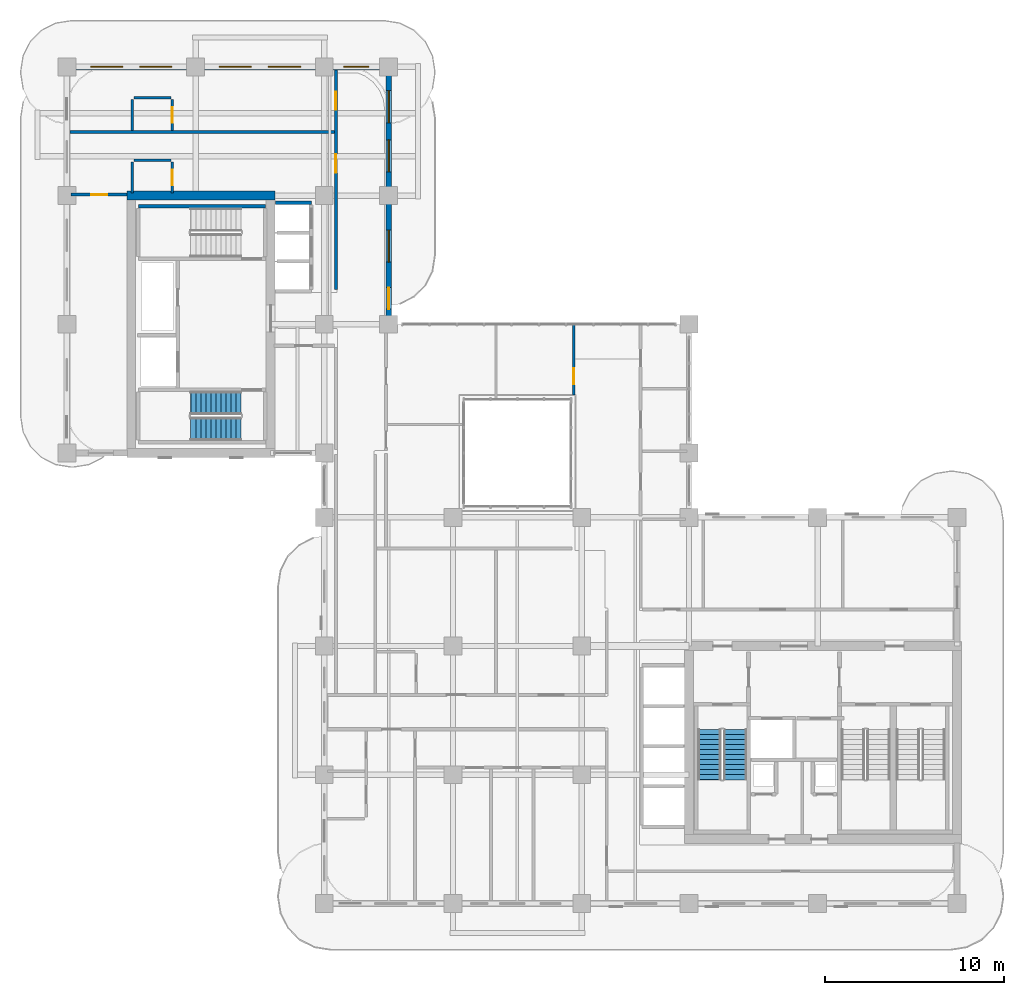
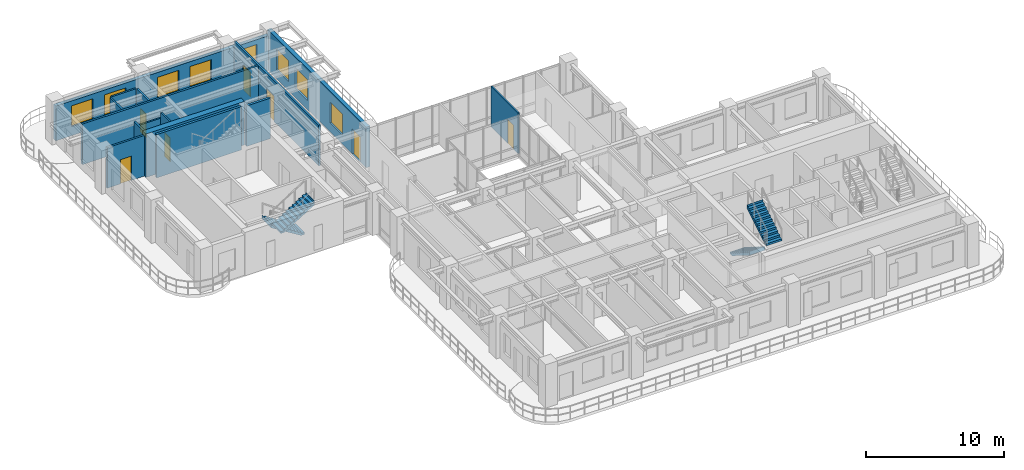
# One storey, part 15 of 20: 15 walls, 8 windows, 7 doors, 4 stair flights, 15 openings, 2 elements without a shape of their own.
"""IFC4 building model written with IfcOpenShell, lengths in metres."""

import ifcopenshell
import ifcopenshell.guid

model = None  # the IFC model being written
_history = None  # IfcOwnerHistory: only IFC2X3 demands one
_inside = {}  # id of a spatial element -> (the spatial element, [elements in it])
_under = {}  # id of a project, library or spatial element -> (it, [spatial elements below it])
_declared = {}  # id of a project -> (the project, [libraries it declares])
_typed = {}  # id of a type object -> (the type object, [elements of that type])
_made_of = {}  # id of a material, layer set ... -> (it, [elements and type objects made of it])


def new_model(schema):
    """Start an empty IFC model of exactly this schema.

    Asked for "IFC4X3", IfcOpenShell would pick the latest addendum, in which some entities
    have other attributes; the version numbers below select the first issue.
    IFC2X3 requires an IfcOwnerHistory on every rooted entity: one is made here for all.
    """
    global model, _history
    if schema == "IFC4X3":
        model = ifcopenshell.file(schema_version=(4, 3, 0, 0))
    else:
        model = ifcopenshell.file(schema=schema)
    _inside.clear()
    _under.clear()
    _declared.clear()
    _typed.clear()
    _made_of.clear()
    _history = None
    if model.schema == "IFC2X3":
        org = make("IfcOrganization", Name="unknown")
        user = make(
            "IfcPersonAndOrganization",
            ThePerson=make("IfcPerson", FamilyName="unknown"),
            TheOrganization=org,
        )
        app = make(
            "IfcApplication",
            ApplicationDeveloper=org,
            Version="unknown",
            ApplicationFullName="unknown",
            ApplicationIdentifier="unknown",
        )
        _history = make(
            "IfcOwnerHistory",
            OwningUser=user,
            OwningApplication=app,
            ChangeAction="ADDED",
            CreationDate=0,
        )
    return model


def make(cls, **values):
    """One entity of the class cls with the attributes given. An attribute that is None is left unset."""
    return model.create_entity(
        cls, **{name: value for name, value in values.items() if value is not None}
    )


def rooted(cls, **values):
    """An entity with a GlobalId (a new one), such as an element, a storey or a relation."""
    return make(cls, GlobalId=ifcopenshell.guid.new(), OwnerHistory=_history, **values)


def si_unit(unit_type, name, prefix=None):
    """IfcSIUnit, for example si_unit("LENGTHUNIT", "METRE", prefix="MILLI")."""
    return make("IfcSIUnit", UnitType=unit_type, Prefix=prefix, Name=name)


def derived_unit(unit_type, elements):
    """IfcDerivedUnit: a product of units, each with its exponent."""
    return make(
        "IfcDerivedUnit",
        Elements=[
            make("IfcDerivedUnitElement", Unit=unit, Exponent=power)
            for unit, power in elements
        ],
        UnitType=unit_type,
    )


def assignment(units):
    """IfcUnitAssignment: the units of a project."""
    return None if units is None else make("IfcUnitAssignment", Units=units)


def point(xyz):
    """IfcCartesianPoint."""
    return None if xyz is None else make("IfcCartesianPoint", Coordinates=xyz)


def direction(xyz):
    """IfcDirection."""
    return None if xyz is None else make("IfcDirection", DirectionRatios=xyz)


def frame(location, z_axis=None, x_axis=None):
    """IfcAxis2Placement3D, a coordinate frame: its origin and axes. An axis left out is left unset."""
    return make(
        "IfcAxis2Placement3D",
        Location=point(location),
        Axis=direction(z_axis),
        RefDirection=direction(x_axis),
    )


def frame_2d(location, x_axis=None):
    """IfcAxis2Placement2D, a coordinate frame in the plane: its origin and x axis."""
    return make(
        "IfcAxis2Placement2D", Location=point(location), RefDirection=direction(x_axis)
    )


def origin():
    """The frame at (0, 0, 0) with its axes left unset."""
    return frame((0.0, 0.0, 0.0))


def place(relative_to, where):
    """IfcLocalPlacement: puts the frame where relative to a parent placement (None: the world)."""
    return make(
        "IfcLocalPlacement", PlacementRelTo=relative_to, RelativePlacement=where
    )


def context(
    kind, dimensions, precision=None, world=None, true_north=None, identifier=None
):
    """IfcGeometricRepresentationContext, for example the 3D "Model" context."""
    return make(
        "IfcGeometricRepresentationContext",
        ContextIdentifier=identifier,
        ContextType=kind,
        CoordinateSpaceDimension=dimensions,
        Precision=precision,
        WorldCoordinateSystem=world,
        TrueNorth=true_north,
    )


def subcontext(parent, identifier, kind, view, scale=None):
    """IfcGeometricRepresentationSubContext, for example "Body" below "Model"."""
    return make(
        "IfcGeometricRepresentationSubContext",
        ContextIdentifier=identifier,
        ContextType=kind,
        ParentContext=parent,
        TargetScale=scale,
        TargetView=view,
    )


def project(units=None, contexts=None):
    """IfcProject with its units and contexts."""
    return rooted(
        "IfcProject",
        Name="project",
        RepresentationContexts=contexts,
        UnitsInContext=assignment(units),
    )


def spatial(cls, under=None, at=None, **own):
    """A site, building, storey or space (cls), placed at a placement, below another one or the project."""
    s = rooted(cls, ObjectPlacement=at, **own)
    if under is not None:
        _under.setdefault(under.id(), (under, []))[1].append(s)
    return s


def polyline(points):
    """IfcPolyline through the points."""
    return make("IfcPolyline", Points=[point(p) for p in points])


def profile(cls, at=None, kind="AREA", **sizes):
    """A parametric profile (cls). Its sizes go by their IFC names, for example OverallWidth=200.0."""
    return make(cls, ProfileType=kind, Position=at, **sizes)


def rectangle(**sizes):
    """IfcRectangleProfileDef."""
    return profile("IfcRectangleProfileDef", **sizes)


def outline(outer, holes=None, kind="AREA"):
    """IfcArbitraryClosedProfileDef: a profile drawn as a closed curve; with holes, ...WithVoids."""
    if holes is None:
        return make("IfcArbitraryClosedProfileDef", ProfileType=kind, OuterCurve=outer)
    return make(
        "IfcArbitraryProfileDefWithVoids",
        ProfileType=kind,
        OuterCurve=outer,
        InnerCurves=holes,
    )


def extrude(swept, where, along, depth):
    """IfcExtrudedAreaSolid: the profile swept, set in the frame where, extruded along a direction by depth."""
    return make(
        "IfcExtrudedAreaSolid",
        SweptArea=swept,
        Position=where,
        ExtrudedDirection=direction(along),
        Depth=depth,
    )


def shape(context_of_items, identifier, shape_type, items):
    """IfcShapeRepresentation: the items that make up one representation, for example the "Body"."""
    return make(
        "IfcShapeRepresentation",
        ContextOfItems=context_of_items,
        RepresentationIdentifier=identifier,
        RepresentationType=shape_type,
        Items=items,
    )


def source(mapping_origin, context_of_items, identifier, shape_type, items):
    """IfcRepresentationMap: a shape defined once, which mapped items show again and again."""
    return make(
        "IfcRepresentationMap",
        MappingOrigin=mapping_origin,
        MappedRepresentation=shape(context_of_items, identifier, shape_type, items),
    )


def transform(
    local_origin,
    x_axis=None,
    y_axis=None,
    z_axis=None,
    scale=None,
    scale2=None,
    scale3=None,
    uniform=True,
):
    """IfcCartesianTransformationOperator3D, or its non-uniform kind. x_axis, y_axis, z_axis: its Axis1, 2, 3."""
    if uniform:
        return make(
            "IfcCartesianTransformationOperator3D",
            Axis1=direction(x_axis),
            Axis2=direction(y_axis),
            LocalOrigin=point(local_origin),
            Scale=scale,
            Axis3=direction(z_axis),
        )
    return make(
        "IfcCartesianTransformationOperator3DnonUniform",
        Axis1=direction(x_axis),
        Axis2=direction(y_axis),
        LocalOrigin=point(local_origin),
        Scale=scale,
        Axis3=direction(z_axis),
        Scale2=scale2,
        Scale3=scale3,
    )


def mapped(mapping_source, mapping_target):
    """IfcMappedItem: shows the shape of a source again, moved by a transform."""
    return make(
        "IfcMappedItem", MappingSource=mapping_source, MappingTarget=mapping_target
    )


def material(Name=None, Category=None):
    """IfcMaterial."""
    return make("IfcMaterial", Name=Name, Category=Category)


def layer(
    of_material, thickness, ventilated=None, Name=None, Category=None, Priority=None
):
    """IfcMaterialLayer: one layer of a wall or slab, of a material (None: an air gap)."""
    return make(
        "IfcMaterialLayer",
        Material=of_material,
        LayerThickness=thickness,
        IsVentilated=ventilated,
        Name=Name,
        Category=Category,
        Priority=Priority,
    )


def layer_set(layers, Name=None):
    """IfcMaterialLayerSet."""
    return make("IfcMaterialLayerSet", MaterialLayers=layers, LayerSetName=Name)


def made_of(thing, what):
    """Note that an element or type object is made of a material, layer set ...; save() writes the relation."""
    if what is not None:
        _made_of.setdefault(what.id(), (what, []))[1].append(thing)
    return thing


def type_object(cls, material=None, **own):
    """A type object (cls), such as IfcWallType, which elements share."""
    return made_of(rooted(cls, **own), material)


def type_shapes(of_type, sources):
    """Give a type object the sources (RepresentationMaps) that its elements show as mapped items."""
    of_type.RepresentationMaps = sources


def element(
    cls,
    number,
    at=None,
    inside=None,
    cuts=None,
    type_object=None,
    material=None,
    context=None,
    identifier="Body",
    shape_type=None,
    held_by="IfcProductDefinitionShape",
    body=None,
    shapes=None,
    **own,
):
    """One element of the class cls, such as IfcWall. Its Tag is "e" and its number.

    at: its placement. inside: the storey or other place that contains it. cuts: it is an
    opening in that element (IfcRelVoidsElement). A single representation is given by context,
    identifier, shape_type and body (its items); several are given by shapes. held_by: the class
    of the entity that holds the representations. save() writes the other relations.
    """
    e = rooted(cls, Tag="e%d" % number, ObjectPlacement=at, **own)
    if body is not None:
        shapes = [shape(context, identifier, shape_type, body)]
    if shapes is not None:
        e.Representation = make(held_by, Representations=shapes)
    if inside is not None:
        _inside.setdefault(inside.id(), (inside, []))[1].append(e)
    if cuts is not None:
        rooted(
            "IfcRelVoidsElement", RelatingBuildingElement=cuts, RelatedOpeningElement=e
        )
    if type_object is not None:
        _typed.setdefault(type_object.id(), (type_object, []))[1].append(e)
    return made_of(e, material)


def fill(opening, filler):
    """IfcRelFillsElement: the door or window that sits in an opening."""
    return rooted(
        "IfcRelFillsElement",
        RelatingOpeningElement=opening,
        RelatedBuildingElement=filler,
    )


def aggregate(whole, parts):
    """IfcRelAggregates: a whole, such as a stair, and the parts it consists of."""
    return rooted("IfcRelAggregates", RelatingObject=whole, RelatedObjects=parts)


def save(model, path):
    """Write the relations noted so far, then the file.

    IfcRelAggregates (storeys below a building ...), IfcRelContainedInSpatialStructure (elements
    in a storey), IfcRelDefinesByType, IfcRelAssociatesMaterial and IfcRelDeclares: one each for
    every whole, place, type object, material and project.
    """
    for whole, parts in _under.values():
        aggregate(whole, parts)
    for where, things in _inside.values():
        rooted(
            "IfcRelContainedInSpatialStructure",
            RelatedElements=things,
            RelatingStructure=where,
        )
    for kind, things in _typed.values():
        rooted("IfcRelDefinesByType", RelatedObjects=things, RelatingType=kind)
    for what, things in _made_of.values():
        rooted("IfcRelAssociatesMaterial", RelatedObjects=things, RelatingMaterial=what)
    for by, libraries in _declared.values():
        rooted("IfcRelDeclares", RelatingContext=by, RelatedDefinitions=libraries)
    model.write(path)


model = new_model("IFC4")

# Units and contexts
model_context = context("Model", 3, precision=1e-05, world=origin(), true_north=direction((0.0, 1.0)))
body_context = subcontext(model_context, "Body", "Model", "MODEL_VIEW")
ifc_project = project(units=[si_unit("LENGTHUNIT", "METRE"), si_unit("AREAUNIT", "SQUARE_METRE"), si_unit("VOLUMEUNIT", "CUBIC_METRE"), si_unit("PLANEANGLEUNIT", "RADIAN"), si_unit("MASSUNIT", "GRAM", prefix="KILO"), si_unit("THERMODYNAMICTEMPERATUREUNIT", "KELVIN"), si_unit("POWERUNIT", "WATT"), derived_unit("THERMALTRANSMITTANCEUNIT", [(si_unit("POWERUNIT", "WATT"), 1), (si_unit("AREAUNIT", "SQUARE_METRE"), -1), (si_unit("THERMODYNAMICTEMPERATUREUNIT", "KELVIN"), -1)])], contexts=[model_context])

# Site, building, storey
site_placement = place(None, origin())
site = spatial("IfcSite", under=ifc_project, at=site_placement, CompositionType="ELEMENT")
building_placement = place(site_placement, origin())
building = spatial("IfcBuilding", under=site, at=building_placement, Name="Zahravan Archway Hotel and Residences", CompositionType="ELEMENT")
storey_placement = place(building_placement, frame((0.0, 0.0, 177.25)))
storey = spatial("IfcBuildingStorey", under=building, at=storey_placement, Name="L44", CompositionType="ELEMENT", Elevation=177.25)

# Wall
ifc_material_1 = material(Name="Concrete C60/75", Category="concrete")
ifc_layer_1 = layer(ifc_material_1, 0.5, Name="Concrete C60/75", Category="concrete")
ifc_layer_set_1 = layer_set([ifc_layer_1], Name="Concrete C60/75")
wall_type_1 = type_object("IfcWallType", Name="CW-CORE-500", PredefinedType="SHEAR", material=ifc_layer_set_1)
wall_1_placement = place(storey_placement, frame((3.35009765625, 39.60009765625, 0.0), z_axis=(0.0, 0.0, 1.0), x_axis=(1.0, 0.0, 0.0)))
element("IfcWall", 1, at=wall_1_placement, inside=storey, type_object=wall_type_1, Name="L44 Core B Shear N Wall 500 mm", PredefinedType="SHEAR", context=body_context, shape_type="SweptSolid", body=[
    extrude(rectangle(XDim=8.2998046875, YDim=0.5, at=frame_2d((4.14990234375, 0.0))), origin(), (0.0, 0.0, 1.0), 3.85009765625),
])

# Wall, openings, windows
ifc_material_2 = material(Name="Agra Buff Sandstone & Insulated Backup", Category="masonry")
ifc_layer_2 = layer(ifc_material_2, 0.320068359375, Name="Agra Buff Sandstone & Insulated Backup", Category="masonry")
ifc_layer_set_2 = layer_set([ifc_layer_2], Name="Agra Buff Sandstone & Insulated Backup")
wall_type_2 = type_object("IfcWallType", Name="EW-SAND-320", PredefinedType="SOLIDWALL", material=ifc_layer_set_2)
wall_2_placement = place(storey_placement, frame((0.0, 46.800048828125, 0.0), z_axis=(0.0, 0.0, 1.0), x_axis=(1.0, 0.0, 0.0)))
wall_2 = element("IfcWall", 2, at=wall_2_placement, inside=storey, type_object=wall_type_2, Name="L44 Exterior Sandstone Wall WB-N", PredefinedType="SOLIDWALL", context=body_context, shape_type="SweptSolid", body=[
    extrude(rectangle(XDim=18.0, YDim=0.320068359375, at=frame_2d((9.0, 0.0))), origin(), (0.0, 0.0, 1.0), 3.0849609375),
])
opening_1_placement = place(wall_2_placement, frame((1.324951171875, 0.0, 0.800048828125)))
opening_1 = element("IfcOpeningElement", 3, at=opening_1_placement, cuts=wall_2, Name="Opening W-02", PredefinedType="OPENING", context=body_context, shape_type="SweptSolid", body=[
    extrude(rectangle(XDim=1.800048828125, YDim=1.85009765625, at=frame_2d((0.89990234375, 0.925048828125))), frame((0.0, 0.169921875, 0.0), z_axis=(0.0, -1.0, 0.0), x_axis=(1.0, 0.0, 0.0)), (0.0, 0.0, 1.0), 0.340087890625),
])
opening_2_placement = place(wall_2_placement, frame((4.074951171875, 0.0, 0.800048828125)))
opening_2 = element("IfcOpeningElement", 4, at=opening_2_placement, cuts=wall_2, Name="Opening W-02", PredefinedType="OPENING", context=body_context, shape_type="SweptSolid", body=[
    extrude(rectangle(XDim=1.800048828125, YDim=1.85009765625, at=frame_2d((0.89990234375, 0.925048828125))), frame((0.0, 0.169921875, 0.0), z_axis=(0.0, -1.0, 0.0), x_axis=(1.0, 0.0, 0.0)), (0.0, 0.0, 1.0), 0.340087890625),
])
opening_3_placement = place(wall_2_placement, frame((8.52490234375, 0.0, 0.800048828125)))
opening_3 = element("IfcOpeningElement", 5, at=opening_3_placement, cuts=wall_2, Name="Opening W-02", PredefinedType="OPENING", context=body_context, shape_type="SweptSolid", body=[
    extrude(rectangle(XDim=1.800048828125, YDim=1.85009765625, at=frame_2d((0.89990234375, 0.925048828125))), frame((0.0, 0.169921875, 0.0), z_axis=(0.0, -1.0, 0.0), x_axis=(1.0, 0.0, 0.0)), (0.0, 0.0, 1.0), 0.340087890625),
])
opening_4_placement = place(wall_2_placement, frame((11.27490234375, 0.0, 0.800048828125)))
opening_4 = element("IfcOpeningElement", 6, at=opening_4_placement, cuts=wall_2, Name="Opening W-02", PredefinedType="OPENING", context=body_context, shape_type="SweptSolid", body=[
    extrude(rectangle(XDim=1.800048828125, YDim=1.85009765625, at=frame_2d((0.89990234375, 0.925048828125))), frame((0.0, 0.169921875, 0.0), z_axis=(0.0, -1.0, 0.0), x_axis=(1.0, 0.0, 0.0)), (0.0, 0.0, 1.0), 0.340087890625),
])
opening_5_placement = place(wall_2_placement, frame((15.5, 0.0, 0.800048828125)))
opening_5 = element("IfcOpeningElement", 7, at=opening_5_placement, cuts=wall_2, Name="Opening W-03", PredefinedType="OPENING", context=body_context, shape_type="SweptSolid", body=[
    extrude(rectangle(XDim=1.39990234375, YDim=1.85009765625, at=frame_2d((0.699951171875, 0.925048828125))), frame((0.0, 0.169921875, 0.0), z_axis=(0.0, -1.0, 0.0), x_axis=(1.0, 0.0, 0.0)), (0.0, 0.0, 1.0), 0.340087890625),
])
ifc_material_3 = material(Name="Bronze-Anodized Thermal-Break Aluminium & Low-E Glass", Category="aluminium")
window_type_1 = type_object("IfcWindowType", Name="WIN-TWR-1400", PartitioningType="SINGLE_PANEL", PredefinedType="WINDOW", material=ifc_material_3)
shared_shape_1 = source(origin(), body_context, "Body", "SweptSolid", [
    extrude(rectangle(XDim=1.39990234375, YDim=1.85009765625, at=frame_2d((0.699951171875, 0.925048828125))), frame((0.0, 0.030029296875, 0.0), z_axis=(0.0, -1.0, 0.0), x_axis=(1.0, 0.0, 0.0)), (0.0, 0.0, 1.0), 0.06005859375),
])
type_shapes(window_type_1, [shared_shape_1])
window_1_placement = place(opening_5_placement, origin())
window_1 = element("IfcWindow", 8, at=window_1_placement, inside=storey, type_object=window_type_1, Name="L44 Loggia Window 31", OverallHeight=1.85009765625, OverallWidth=1.39990234375, PartitioningType="SINGLE_PANEL", PredefinedType="WINDOW", context=body_context, shape_type="MappedRepresentation", body=[
    mapped(shared_shape_1, transform((0.0, 0.0, 0.0), scale=1.0)),
])
fill(opening_5, window_1)
window_type_2 = type_object("IfcWindowType", Name="WIN-TWR-1800", PartitioningType="DOUBLE_PANEL_VERTICAL", PredefinedType="WINDOW", material=ifc_material_3)
shared_shape_2 = source(origin(), body_context, "Body", "SweptSolid", [
    extrude(rectangle(XDim=1.800048828125, YDim=1.85009765625, at=frame_2d((0.89990234375, 0.925048828125))), frame((0.0, 0.030029296875, 0.0), z_axis=(0.0, -1.0, 0.0), x_axis=(1.0, 0.0, 0.0)), (0.0, 0.0, 1.0), 0.06005859375),
])
type_shapes(window_type_2, [shared_shape_2])
window_2_placement = place(opening_1_placement, origin())
window_2 = element("IfcWindow", 9, at=window_2_placement, inside=storey, type_object=window_type_2, Name="L44 Loggia Window 27", OverallHeight=1.85009765625, OverallWidth=1.800048828125, PartitioningType="DOUBLE_PANEL_VERTICAL", PredefinedType="WINDOW", context=body_context, shape_type="MappedRepresentation", body=[
    mapped(shared_shape_2, transform((0.0, 0.0, 0.0), scale=1.0)),
])
fill(opening_1, window_2)
window_3_placement = place(opening_2_placement, origin())
window_3 = element("IfcWindow", 10, at=window_3_placement, inside=storey, type_object=window_type_2, Name="L44 Loggia Window 28", OverallHeight=1.85009765625, OverallWidth=1.800048828125, PartitioningType="DOUBLE_PANEL_VERTICAL", PredefinedType="WINDOW", context=body_context, shape_type="MappedRepresentation", body=[
    mapped(shared_shape_2, transform((0.0, 0.0, 0.0), scale=1.0)),
])
fill(opening_2, window_3)
window_4_placement = place(opening_3_placement, origin())
window_4 = element("IfcWindow", 11, at=window_4_placement, inside=storey, type_object=window_type_2, Name="L44 Loggia Window 29", OverallHeight=1.85009765625, OverallWidth=1.800048828125, PartitioningType="DOUBLE_PANEL_VERTICAL", PredefinedType="WINDOW", context=body_context, shape_type="MappedRepresentation", body=[
    mapped(shared_shape_2, transform((0.0, 0.0, 0.0), scale=1.0)),
])
fill(opening_3, window_4)
window_5_placement = place(opening_4_placement, origin())
window_5 = element("IfcWindow", 12, at=window_5_placement, inside=storey, type_object=window_type_2, Name="L44 Loggia Window 30", OverallHeight=1.85009765625, OverallWidth=1.800048828125, PartitioningType="DOUBLE_PANEL_VERTICAL", PredefinedType="WINDOW", context=body_context, shape_type="MappedRepresentation", body=[
    mapped(shared_shape_2, transform((0.0, 0.0, 0.0), scale=1.0)),
])
fill(opening_4, window_5)

# Wall, openings, door, windows
wall_3_placement = place(storey_placement, frame((18.0, 32.39990234375, 0.0), z_axis=(0.0, 0.0, 1.0), x_axis=(0.0, 1.0, 0.0)))
wall_3 = element("IfcWall", 13, at=wall_3_placement, inside=storey, type_object=wall_type_2, Name="L44 Exterior Sandstone Wall WB-EU", PredefinedType="SOLIDWALL", context=body_context, shape_type="SweptSolid", body=[
    extrude(rectangle(XDim=14.35009765625, YDim=0.320068359375, at=frame_2d((7.175048828125, 0.0))), origin(), (0.0, 0.0, 1.0), 3.60009765625),
])
opening_6_placement = place(wall_3_placement, frame((0.85009765625, 0.0, 0.0)))
opening_6 = element("IfcOpeningElement", 14, at=opening_6_placement, cuts=wall_3, Name="Opening ED-BL1", PredefinedType="OPENING", context=body_context, shape_type="SweptSolid", body=[
    extrude(rectangle(XDim=1.199951171875, YDim=2.199951171875, at=frame_2d((0.60009765625, 1.10009765625))), frame((0.0, 0.169921875, 0.0), z_axis=(0.0, -1.0, 0.0), x_axis=(1.0, 0.0, 0.0)), (0.0, 0.0, 1.0), 0.340087890625),
])
opening_7_placement = place(wall_3_placement, frame((3.47509765625, 0.0, 0.800048828125)))
opening_7 = element("IfcOpeningElement", 15, at=opening_7_placement, cuts=wall_3, Name="Opening W-02", PredefinedType="OPENING", context=body_context, shape_type="SweptSolid", body=[
    extrude(rectangle(XDim=1.800048828125, YDim=1.85009765625, at=frame_2d((0.89990234375, 0.925048828125))), frame((0.0, 0.169921875, 0.0), z_axis=(0.0, -1.0, 0.0), x_axis=(1.0, 0.0, 0.0)), (0.0, 0.0, 1.0), 0.340087890625),
])
opening_8_placement = place(wall_3_placement, frame((8.52490234375, 0.0, 0.800048828125)))
opening_8 = element("IfcOpeningElement", 16, at=opening_8_placement, cuts=wall_3, Name="Opening W-02", PredefinedType="OPENING", context=body_context, shape_type="SweptSolid", body=[
    extrude(rectangle(XDim=1.800048828125, YDim=1.85009765625, at=frame_2d((0.89990234375, 0.925048828125))), frame((0.0, 0.169921875, 0.0), z_axis=(0.0, -1.0, 0.0), x_axis=(1.0, 0.0, 0.0)), (0.0, 0.0, 1.0), 0.340087890625),
])
opening_9_placement = place(wall_3_placement, frame((11.27490234375, 0.0, 0.800048828125)))
opening_9 = element("IfcOpeningElement", 17, at=opening_9_placement, cuts=wall_3, Name="Opening W-02", PredefinedType="OPENING", context=body_context, shape_type="SweptSolid", body=[
    extrude(rectangle(XDim=1.800048828125, YDim=1.85009765625, at=frame_2d((0.89990234375, 0.925048828125))), frame((0.0, 0.169921875, 0.0), z_axis=(0.0, -1.0, 0.0), x_axis=(1.0, 0.0, 0.0)), (0.0, 0.0, 1.0), 0.340087890625),
])
ifc_material_4 = material(Name="Bronze-Anodized Glazed Aluminium", Category="aluminium")
door_type_1 = type_object("IfcDoorType", Name="ED-BALC-1200", OperationType="SLIDING_TO_LEFT", PredefinedType="DOOR", material=ifc_material_4)
shared_shape_3 = source(origin(), body_context, "Body", "SweptSolid", [
    extrude(rectangle(XDim=1.199951171875, YDim=2.199951171875, at=frame_2d((0.60009765625, 1.10009765625))), frame((0.0, 0.02490234375, 0.0), z_axis=(0.0, -1.0, 0.0), x_axis=(1.0, 0.0, 0.0)), (0.0, 0.0, 1.0), 0.050048828125),
])
type_shapes(door_type_1, [shared_shape_3])
door_1_placement = place(opening_6_placement, origin())
door_1 = element("IfcDoor", 18, at=door_1_placement, inside=storey, type_object=door_type_1, Name="L44 Outdoor Access Sliding Door (SLB-BAL-L44-EB)", OperationType="SLIDING_TO_LEFT", OverallHeight=2.199951171875, OverallWidth=1.199951171875, PredefinedType="DOOR", context=body_context, shape_type="MappedRepresentation", body=[
    mapped(shared_shape_3, transform((0.0, 0.0, 0.0), scale=1.0)),
])
fill(opening_6, door_1)
window_6_placement = place(opening_7_placement, origin())
window_6 = element("IfcWindow", 19, at=window_6_placement, inside=storey, type_object=window_type_2, Name="L44 Loggia Window 32", OverallHeight=1.85009765625, OverallWidth=1.800048828125, PartitioningType="DOUBLE_PANEL_VERTICAL", PredefinedType="WINDOW", context=body_context, shape_type="MappedRepresentation", body=[
    mapped(shared_shape_2, transform((0.0, 0.0, 0.0), scale=1.0)),
])
fill(opening_7, window_6)
window_7_placement = place(opening_8_placement, origin())
window_7 = element("IfcWindow", 20, at=window_7_placement, inside=storey, type_object=window_type_2, Name="L44 Loggia Window 33", OverallHeight=1.85009765625, OverallWidth=1.800048828125, PartitioningType="DOUBLE_PANEL_VERTICAL", PredefinedType="WINDOW", context=body_context, shape_type="MappedRepresentation", body=[
    mapped(shared_shape_2, transform((0.0, 0.0, 0.0), scale=1.0)),
])
fill(opening_8, window_7)
window_8_placement = place(opening_9_placement, origin())
window_8 = element("IfcWindow", 21, at=window_8_placement, inside=storey, type_object=window_type_2, Name="L44 Loggia Window 34", OverallHeight=1.85009765625, OverallWidth=1.800048828125, PartitioningType="DOUBLE_PANEL_VERTICAL", PredefinedType="WINDOW", context=body_context, shape_type="MappedRepresentation", body=[
    mapped(shared_shape_2, transform((0.0, 0.0, 0.0), scale=1.0)),
])
fill(opening_9, window_8)

# Wall, openings, doors
ifc_material_5 = material(Name="Fire-Rated Gypsum & Concrete Block", Category="concrete")
ifc_layer_3 = layer(ifc_material_5, 0.159912109375, Name="Fire-Rated Gypsum & Concrete Block", Category="concrete")
ifc_layer_set_3 = layer_set([ifc_layer_3], Name="Fire-Rated Gypsum & Concrete Block")
wall_type_3 = type_object("IfcWallType", Name="PW-CORR-160", PredefinedType="PARTITIONING", material=ifc_layer_set_3)
wall_4_placement = place(storey_placement, frame((15.050048828125, 34.340087890625, 0.0), z_axis=(0.0, 0.0, 1.0), x_axis=(0.0, 1.0, 0.0)))
wall_4 = element("IfcWall", 22, at=wall_4_placement, inside=storey, type_object=wall_type_3, Name="L44 Partition WBN-C", PredefinedType="PARTITIONING", context=body_context, shape_type="SweptSolid", body=[
    extrude(rectangle(XDim=12.2919921875, YDim=0.159912109375, at=frame_2d((6.14599609375, 0.0))), origin(), (0.0, 0.0, 1.0), 3.60009765625),
])
opening_10_placement = place(wall_4_placement, frame((6.534912109375, 0.0, 0.0)))
opening_10 = element("IfcOpeningElement", 23, at=opening_10_placement, cuts=wall_4, Name="Opening D-U1", PredefinedType="OPENING", context=body_context, shape_type="SweptSolid", body=[
    extrude(rectangle(XDim=1.050048828125, YDim=2.25, at=frame_2d((0.52490234375, 1.125))), frame((0.0, 0.08984375, 0.0), z_axis=(0.0, -1.0, 0.0), x_axis=(1.0, 0.0, 0.0)), (0.0, 0.0, 1.0), 0.179931640625),
])
opening_11_placement = place(wall_4_placement, frame((10.06005859375, 0.0, 0.0)))
opening_11 = element("IfcOpeningElement", 24, at=opening_11_placement, cuts=wall_4, Name="Opening D-U2", PredefinedType="OPENING", context=body_context, shape_type="SweptSolid", body=[
    extrude(rectangle(XDim=1.0, YDim=2.199951171875, at=frame_2d((0.5, 1.10009765625))), frame((0.0, 0.08984375, 0.0), z_axis=(0.0, -1.0, 0.0), x_axis=(1.0, 0.0, 0.0)), (0.0, 0.0, 1.0), 0.179931640625),
])
ifc_material_6 = material(Name="Hardwood Veneer Timber", Category="wood")
door_type_2 = type_object("IfcDoorType", Name="ID-UNIT-1050", OperationType="NOTDEFINED", PredefinedType="DOOR", material=ifc_material_6)
shared_shape_4 = source(origin(), body_context, "Body", "SweptSolid", [
    extrude(rectangle(XDim=1.050048828125, YDim=2.25, at=frame_2d((0.52490234375, 1.125))), frame((0.0, 0.02490234375, 0.0), z_axis=(0.0, -1.0, 0.0), x_axis=(1.0, 0.0, 0.0)), (0.0, 0.0, 1.0), 0.050048828125),
])
type_shapes(door_type_2, [shared_shape_4])
door_2_placement = place(opening_10_placement, origin())
door_2 = element("IfcDoor", 25, at=door_2_placement, inside=storey, type_object=door_type_2, Name="L44 Hotel Guestroom 76 Entrance Door", OperationType="SINGLE_SWING_RIGHT", OverallHeight=2.25, OverallWidth=1.050048828125, PredefinedType="DOOR", context=body_context, shape_type="MappedRepresentation", body=[
    mapped(shared_shape_4, transform((0.0, 0.0, 0.0), scale=1.0)),
])
fill(opening_10, door_2)
door_type_3 = type_object("IfcDoorType", Name="ID-UNIT-1000", OperationType="NOTDEFINED", PredefinedType="DOOR", material=ifc_material_6)
shared_shape_5 = source(origin(), body_context, "Body", "SweptSolid", [
    extrude(rectangle(XDim=1.0, YDim=2.199951171875, at=frame_2d((0.5, 1.10009765625))), frame((0.0, 0.02490234375, 0.0), z_axis=(0.0, -1.0, 0.0), x_axis=(1.0, 0.0, 0.0)), (0.0, 0.0, 1.0), 0.050048828125),
])
type_shapes(door_type_3, [shared_shape_5])
door_3_placement = place(opening_11_placement, origin())
door_3 = element("IfcDoor", 26, at=door_3_placement, inside=storey, type_object=door_type_3, Name="L44 Hotel Guestroom 77 Entrance Door", OperationType="SINGLE_SWING_LEFT", OverallHeight=2.199951171875, OverallWidth=1.0, PredefinedType="DOOR", context=body_context, shape_type="MappedRepresentation", body=[
    mapped(shared_shape_5, transform((0.0, 0.0, 0.0), scale=1.0)),
])
fill(opening_11, door_3)

# Wall, opening, door
ifc_material_7 = material(Name="Acoustic Stud Partition")
ifc_layer_4 = layer(ifc_material_7, 0.125, Name="Acoustic Stud Partition")
ifc_layer_set_4 = layer_set([ifc_layer_4], Name="Acoustic Stud Partition")
wall_type_4 = type_object("IfcWallType", Name="PW-INT-125", PredefinedType="PARTITIONING", material=ifc_layer_set_4)
wall_5_placement = place(storey_placement, frame((28.35009765625, 28.43994140625, 0.0), z_axis=(0.0, 0.0, 1.0), x_axis=(0.0, 1.0, 0.0)))
wall_5 = element("IfcWall", 27, at=wall_5_placement, inside=storey, type_object=wall_type_4, Name="L44 Partition ATR-NWE", PredefinedType="PARTITIONING", context=body_context, shape_type="SweptSolid", body=[
    extrude(rectangle(XDim=3.93212890625, YDim=0.125, at=frame_2d((1.966064453125, 0.0))), origin(), (0.0, 0.0, 1.0), 3.60009765625),
])
opening_12_placement = place(wall_5_placement, frame((0.610107421875, 0.0, 0.0)))
opening_12 = element("IfcOpeningElement", 28, at=opening_12_placement, cuts=wall_5, Name="Opening D-I2", PredefinedType="OPENING", context=body_context, shape_type="SweptSolid", body=[
    extrude(rectangle(XDim=0.89990234375, YDim=2.14990234375, at=frame_2d((0.449951171875, 1.074951171875))), frame((0.0, 0.072509765625, 0.0), z_axis=(0.0, -1.0, 0.0), x_axis=(1.0, 0.0, 0.0)), (0.0, 0.0, 1.0), 0.14501953125),
])
door_type_4 = type_object("IfcDoorType", Name="ID-INT-900", OperationType="NOTDEFINED", PredefinedType="DOOR", material=ifc_material_6)
shared_shape_6 = source(origin(), body_context, "Body", "SweptSolid", [
    extrude(rectangle(XDim=0.89990234375, YDim=2.14990234375, at=frame_2d((0.449951171875, 1.074951171875))), frame((0.0, 0.02490234375, 0.0), z_axis=(0.0, -1.0, 0.0), x_axis=(1.0, 0.0, 0.0)), (0.0, 0.0, 1.0), 0.050048828125),
])
type_shapes(door_type_4, [shared_shape_6])
door_4_placement = place(opening_12_placement, origin())
door_4 = element("IfcDoor", 29, at=door_4_placement, inside=storey, type_object=door_type_4, Name="L44 Atrium NE Study Door", OperationType="SINGLE_SWING_LEFT", OverallHeight=2.14990234375, OverallWidth=0.89990234375, PredefinedType="DOOR", context=body_context, shape_type="MappedRepresentation", body=[
    mapped(shared_shape_6, transform((0.0, 0.0, 0.0), scale=1.0)),
])
fill(opening_12, door_4)

# Wall
ifc_layer_5 = layer(ifc_material_5, 0.199951171875, Name="Fire-Rated Gypsum & Concrete Block", Category="concrete")
ifc_layer_set_5 = layer_set([ifc_layer_5], Name="Fire-Rated Gypsum & Concrete Block")
wall_type_5 = type_object("IfcWallType", Name="PW-SHAFT-200", PredefinedType="PARTITIONING", material=ifc_layer_set_5)
wall_6_placement = place(storey_placement, frame((11.659912109375, 39.18994140625, 0.0), z_axis=(0.0, 0.0, 1.0), x_axis=(1.0, 0.0, 0.0)))
element("IfcWall", 30, at=wall_6_placement, inside=storey, type_object=wall_type_5, Name="L44 Partition B2-N", PredefinedType="PARTITIONING", context=body_context, shape_type="SweptSolid", body=[
    extrude(rectangle(XDim=2.010009765625, YDim=0.199951171875, at=frame_2d((1.0048828125, 0.0))), origin(), (0.0, 0.0, 1.0), 3.60009765625),
])

# Wall, opening, door
ifc_layer_6 = layer(ifc_material_7, 0.169921875, Name="Acoustic Stud Partition")
ifc_layer_set_6 = layer_set([ifc_layer_6], Name="Acoustic Stud Partition")
wall_type_6 = type_object("IfcWallType", Name="PW-UNIT-170", PredefinedType="PARTITIONING", material=ifc_layer_set_6)
wall_7_placement = place(storey_placement, frame((0.239990234375, 39.64990234375, 0.0), z_axis=(0.0, 0.0, 1.0), x_axis=(1.0, 0.0, 0.0)))
wall_7 = element("IfcWall", 31, at=wall_7_placement, inside=storey, type_object=wall_type_6, Name="L44 Partition WBW-N", PredefinedType="PARTITIONING", context=body_context, shape_type="SweptSolid", body=[
    extrude(rectangle(XDim=3.1201171875, YDim=0.169921875, at=frame_2d((1.56005859375, 0.0))), origin(), (0.0, 0.0, 1.0), 3.60009765625),
])
opening_13_placement = place(wall_7_placement, frame((1.110107421875, 0.0, 0.0)))
opening_13 = element("IfcOpeningElement", 32, at=opening_13_placement, cuts=wall_7, Name="Opening D-I2", PredefinedType="OPENING", context=body_context, shape_type="SweptSolid", body=[
    extrude(rectangle(XDim=0.89990234375, YDim=2.14990234375, at=frame_2d((0.449951171875, 1.074951171875))), frame((0.0, 0.094970703125, 0.0), z_axis=(0.0, -1.0, 0.0), x_axis=(1.0, 0.0, 0.0)), (0.0, 0.0, 1.0), 0.18994140625),
])
door_5_placement = place(opening_13_placement, origin())
door_5 = element("IfcDoor", 33, at=door_5_placement, inside=storey, type_object=door_type_4, Name="L44 West Loggia Salon Door", OperationType="SINGLE_SWING_RIGHT", OverallHeight=2.14990234375, OverallWidth=0.89990234375, PredefinedType="DOOR", context=body_context, shape_type="MappedRepresentation", body=[
    mapped(shared_shape_6, transform((0.0, 0.0, 0.0), scale=1.0)),
])
fill(opening_13, door_5)

# Walls
wall_8_placement = place(storey_placement, frame((0.16796875, 43.14990234375, 0.0), z_axis=(0.0, 0.0, 1.0), x_axis=(1.0, 0.0, 0.0)))
element("IfcWall", 34, at=wall_8_placement, inside=storey, type_object=wall_type_6, Name="L44 Partition WBN-M0", PredefinedType="PARTITIONING", context=body_context, shape_type="SweptSolid", body=[
    extrude(rectangle(XDim=14.7919921875, YDim=0.169921875, at=frame_2d((7.39599609375, 0.0))), origin(), (0.0, 0.0, 1.0), 3.60009765625),
])
ifc_material_8 = material(Name="Moisture-Resistant Blockwork", Category="masonry")
ifc_layer_7 = layer(ifc_material_8, 0.139892578125, Name="Moisture-Resistant Blockwork", Category="masonry")
ifc_layer_set_7 = layer_set([ifc_layer_7], Name="Moisture-Resistant Blockwork")
wall_type_7 = type_object("IfcWallType", Name="PW-WET-140", PredefinedType="PARTITIONING", material=ifc_layer_set_7)
wall_9_placement = place(storey_placement, frame((3.64990234375, 39.739990234375, 0.0), z_axis=(0.0, 0.0, 1.0), x_axis=(0.0, 1.0, 0.0)))
element("IfcWall", 35, at=wall_9_placement, inside=storey, type_object=wall_type_7, Name="L44 Partition HKB-VL76", PredefinedType="PARTITIONING", context=body_context, shape_type="SweptSolid", body=[
    extrude(rectangle(XDim=1.7451171875, YDim=0.139892578125, at=frame_2d((0.87255859375, 0.0))), origin(), (0.0, 0.0, 1.0), 3.60009765625),
])
wall_10_placement = place(storey_placement, frame((3.739990234375, 41.574951171875, 0.0), z_axis=(0.0, 0.0, 1.0), x_axis=(1.0, 0.0, 0.0)))
element("IfcWall", 36, at=wall_10_placement, inside=storey, type_object=wall_type_7, Name="L44 Partition HKB-H76", PredefinedType="PARTITIONING", context=body_context, shape_type="SweptSolid", body=[
    extrude(rectangle(XDim=2.070068359375, YDim=0.139892578125, at=frame_2d((1.03515625, 0.0))), origin(), (0.0, 0.0, 1.0), 3.0849609375),
])

# Wall, opening, door
wall_11_placement = place(storey_placement, frame((5.89990234375, 39.739990234375, 0.0), z_axis=(0.0, 0.0, 1.0), x_axis=(0.0, 1.0, 0.0)))
wall_11 = element("IfcWall", 37, at=wall_11_placement, inside=storey, type_object=wall_type_7, Name="L44 Partition HKB-V76", PredefinedType="PARTITIONING", context=body_context, shape_type="SweptSolid", body=[
    extrude(rectangle(XDim=1.7451171875, YDim=0.139892578125, at=frame_2d((0.87255859375, 0.0))), origin(), (0.0, 0.0, 1.0), 3.60009765625),
])
opening_14_placement = place(wall_11_placement, frame((0.447509765625, 0.0, 0.0)))
opening_14 = element("IfcOpeningElement", 38, at=opening_14_placement, cuts=wall_11, Name="Opening D-B1", PredefinedType="OPENING", context=body_context, shape_type="SweptSolid", body=[
    extrude(rectangle(XDim=0.85009765625, YDim=2.10009765625, at=frame_2d((0.425048828125, 1.050048828125))), frame((0.0, 0.080078125, 0.0), z_axis=(0.0, -1.0, 0.0), x_axis=(1.0, 0.0, 0.0)), (0.0, 0.0, 1.0), 0.159912109375),
])
door_type_5 = type_object("IfcDoorType", Name="ID-BATH-850", OperationType="NOTDEFINED", PredefinedType="DOOR", material=ifc_material_6)
shared_shape_7 = source(origin(), body_context, "Body", "SweptSolid", [
    extrude(rectangle(XDim=0.85009765625, YDim=2.10009765625, at=frame_2d((0.425048828125, 1.050048828125))), frame((0.0, 0.02490234375, 0.0), z_axis=(0.0, -1.0, 0.0), x_axis=(1.0, 0.0, 0.0)), (0.0, 0.0, 1.0), 0.050048828125),
])
type_shapes(door_type_5, [shared_shape_7])
door_6_placement = place(opening_14_placement, origin())
door_6 = element("IfcDoor", 39, at=door_6_placement, inside=storey, type_object=door_type_5, Name="L44 Guestroom 76 En-Suite Door", OperationType="SINGLE_SWING_RIGHT", OverallHeight=2.10009765625, OverallWidth=0.85009765625, PredefinedType="DOOR", context=body_context, shape_type="MappedRepresentation", body=[
    mapped(shared_shape_7, transform((0.0, 0.0, 0.0), scale=1.0)),
])
fill(opening_14, door_6)

# Walls
wall_12_placement = place(storey_placement, frame((3.64990234375, 43.239990234375, 0.0), z_axis=(0.0, 0.0, 1.0), x_axis=(0.0, 1.0, 0.0)))
element("IfcWall", 40, at=wall_12_placement, inside=storey, type_object=wall_type_7, Name="L44 Partition HKB-VL77", PredefinedType="PARTITIONING", context=body_context, shape_type="SweptSolid", body=[
    extrude(rectangle(XDim=1.7451171875, YDim=0.139892578125, at=frame_2d((0.87255859375, 0.0))), origin(), (0.0, 0.0, 1.0), 3.60009765625),
])
wall_13_placement = place(storey_placement, frame((3.739990234375, 45.074951171875, 0.0), z_axis=(0.0, 0.0, 1.0), x_axis=(1.0, 0.0, 0.0)))
element("IfcWall", 41, at=wall_13_placement, inside=storey, type_object=wall_type_7, Name="L44 Partition HKB-H77", PredefinedType="PARTITIONING", context=body_context, shape_type="SweptSolid", body=[
    extrude(rectangle(XDim=2.070068359375, YDim=0.139892578125, at=frame_2d((1.03515625, 0.0))), origin(), (0.0, 0.0, 1.0), 3.60009765625),
])

# Wall, opening, door
wall_14_placement = place(storey_placement, frame((5.89990234375, 43.239990234375, 0.0), z_axis=(0.0, 0.0, 1.0), x_axis=(0.0, 1.0, 0.0)))
wall_14 = element("IfcWall", 42, at=wall_14_placement, inside=storey, type_object=wall_type_7, Name="L44 Partition HKB-V77", PredefinedType="PARTITIONING", context=body_context, shape_type="SweptSolid", body=[
    extrude(rectangle(XDim=1.7451171875, YDim=0.139892578125, at=frame_2d((0.87255859375, 0.0))), origin(), (0.0, 0.0, 1.0), 3.60009765625),
])
opening_15_placement = place(wall_14_placement, frame((0.447509765625, 0.0, 0.0)))
opening_15 = element("IfcOpeningElement", 43, at=opening_15_placement, cuts=wall_14, Name="Opening D-B1", PredefinedType="OPENING", context=body_context, shape_type="SweptSolid", body=[
    extrude(rectangle(XDim=0.85009765625, YDim=2.10009765625, at=frame_2d((0.425048828125, 1.050048828125))), frame((0.0, 0.080078125, 0.0), z_axis=(0.0, -1.0, 0.0), x_axis=(1.0, 0.0, 0.0)), (0.0, 0.0, 1.0), 0.159912109375),
])
door_7_placement = place(opening_15_placement, origin())
door_7 = element("IfcDoor", 44, at=door_7_placement, inside=storey, type_object=door_type_5, Name="L44 Guestroom 77 En-Suite Door", OperationType="SINGLE_SWING_RIGHT", OverallHeight=2.10009765625, OverallWidth=0.85009765625, PredefinedType="DOOR", context=body_context, shape_type="MappedRepresentation", body=[
    mapped(shared_shape_7, transform((0.0, 0.0, 0.0), scale=1.0)),
])
fill(opening_15, door_7)

# Wall
ifc_material_9 = material(Name="Concrete C50/60", Category="concrete")
ifc_layer_8 = layer(ifc_material_9, 0.199951171875, Name="Concrete C50/60", Category="concrete")
ifc_layer_set_8 = layer_set([ifc_layer_8], Name="Concrete C50/60")
wall_type_8 = type_object("IfcWallType", Name="SW-STAIR-200", PredefinedType="SHEAR", material=ifc_layer_set_8)
wall_15_placement = place(storey_placement, frame((4.0, 39.0, 0.0), z_axis=(0.0, 0.0, 1.0), x_axis=(1.0, 0.0, 0.0)))
element("IfcWall", 45, at=wall_15_placement, inside=storey, type_object=wall_type_8, Name="L44 Stairwell RC Wall CB-SB2N", PredefinedType="SHEAR", context=body_context, shape_type="SweptSolid", body=[
    extrude(rectangle(XDim=7.10009765625, YDim=0.199951171875, at=frame_2d((3.550048828125, 0.0))), origin(), (0.0, 0.0, 1.0), 3.85009765625),
])

# Stair, stair flights
stair_type = type_object("IfcStairType", Name="STR-CORE-1300", PredefinedType="HALF_TURN_STAIR", material=ifc_material_9)
stair_1_placement = place(storey_placement, origin())
stair_1 = element("IfcStair", 46, at=stair_1_placement, inside=storey, type_object=stair_type, Name="L44 Core A Exit Stair 1", PredefinedType="HALF_TURN_STAIR")
ifc_layer_9 = layer(ifc_material_9, 0.199951171875, Name="Concrete C50/60", Category="concrete")
ifc_layer_set_9 = layer_set([ifc_layer_9], Name="Concrete C50/60")
stair_flight_type = type_object("IfcStairFlightType", Name="SFL-CORE-1300", PredefinedType="STRAIGHT", material=ifc_layer_set_9)
shared_shape_8 = source(origin(), body_context, "Body", "SweptSolid", [
    extrude(outline(polyline([(-0.01611328125, 0.0), (-0.01611328125, 0.175048828125), (0.280029296875, 0.175048828125), (0.280029296875, 0.35009765625), (0.56005859375, 0.35009765625), (0.56005859375, 0.52490234375), (0.840087890625, 0.52490234375), (0.840087890625, 0.699951171875), (1.1201171875, 0.699951171875), (1.1201171875, 0.875), (1.39990234375, 0.875), (1.39990234375, 1.050048828125), (1.679931640625, 1.050048828125), (1.679931640625, 1.22509765625), (1.9599609375, 1.22509765625), (1.9599609375, 1.39990234375), (2.239990234375, 1.39990234375), (2.239990234375, 1.574951171875), (2.52001953125, 1.574951171875), (2.52001953125, 1.75), (2.800048828125, 1.75), (2.800048828125, 1.925048828125), (2.816162109375, 1.925048828125), (2.816162109375, 1.5732421875), (0.28271484375, 0.0), (-0.01611328125, 0.0)])), frame((0.0, 0.64990234375, 0.0), z_axis=(0.0, -1.0, 0.0), x_axis=(1.0, 0.0, 0.0)), (0.0, 0.0, 1.0), 1.300048828125),
])
stair_flight_1_placement = place(storey_placement, frame((35.949951171875, 9.72998046875, 0.0), z_axis=(0.0, 0.0, 1.0), x_axis=(0.0, -1.0, 0.0)))
stair_flight_1 = element("IfcStairFlight", 47, at=stair_flight_1_placement, type_object=stair_flight_type, Name="ST-A1 flight 1", NumberOfRisers=11, NumberOfTreads=10, PredefinedType="STRAIGHT", RiserHeight=0.175, TreadLength=0.28, context=body_context, shape_type="MappedRepresentation", body=[
    mapped(shared_shape_8, transform((0.0, 0.0, 0.0), scale=1.0)),
])
stair_flight_2_placement = place(storey_placement, frame((37.389892578125, 6.929931640625, 1.925048828125), z_axis=(0.0, 0.0, 1.0), x_axis=(0.0, 1.0, 0.0)))
stair_flight_2 = element("IfcStairFlight", 48, at=stair_flight_2_placement, type_object=stair_flight_type, Name="ST-A1 flight 2", NumberOfRisers=11, NumberOfTreads=10, PredefinedType="STRAIGHT", RiserHeight=0.175, TreadLength=0.28, context=body_context, shape_type="MappedRepresentation", body=[
    mapped(shared_shape_8, transform((0.0, 0.0, 0.0), scale=1.0)),
])
aggregate(stair_1, [stair_flight_1, stair_flight_2])

stair_2_placement = place(storey_placement, origin())
stair_2 = element("IfcStair", 49, at=stair_2_placement, inside=storey, type_object=stair_type, Name="L44 Core B Exit Stair 1", PredefinedType="HALF_TURN_STAIR")
stair_flight_3_placement = place(storey_placement, frame((9.72998046875, 27.989990234375, 0.0), z_axis=(0.0, 0.0, 1.0), x_axis=(-1.0, 0.0, 0.0)))
stair_flight_3 = element("IfcStairFlight", 50, at=stair_flight_3_placement, type_object=stair_flight_type, Name="ST-B1 flight 1", NumberOfRisers=11, NumberOfTreads=10, PredefinedType="STRAIGHT", RiserHeight=0.175, TreadLength=0.28, context=body_context, shape_type="MappedRepresentation", body=[
    mapped(shared_shape_8, transform((0.0, 0.0, 0.0), scale=1.0)),
])
stair_flight_4_placement = place(storey_placement, frame((6.929931640625, 26.550048828125, 1.925048828125), z_axis=(0.0, 0.0, 1.0), x_axis=(1.0, 0.0, 0.0)))
stair_flight_4 = element("IfcStairFlight", 51, at=stair_flight_4_placement, type_object=stair_flight_type, Name="ST-B1 flight 2", NumberOfRisers=11, NumberOfTreads=10, PredefinedType="STRAIGHT", RiserHeight=0.175, TreadLength=0.28, context=body_context, shape_type="MappedRepresentation", body=[
    mapped(shared_shape_8, transform((0.0, 0.0, 0.0), scale=1.0)),
])
aggregate(stair_2, [stair_flight_3, stair_flight_4])

save(model, "model.ifc")
